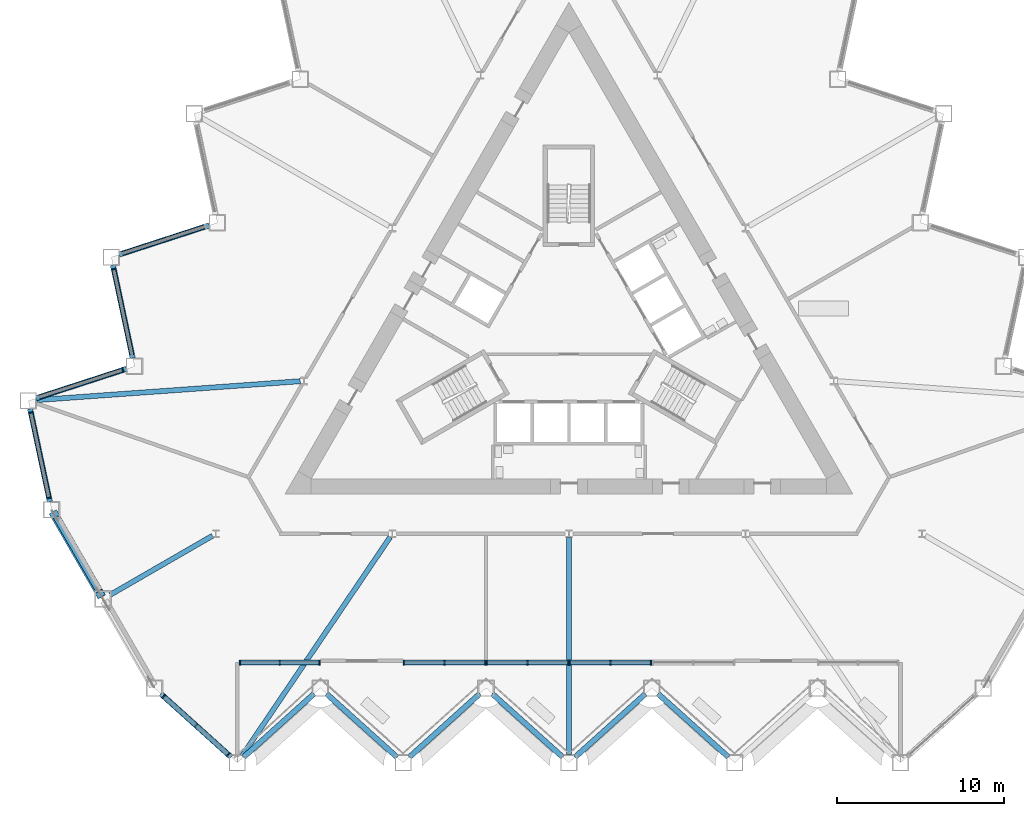
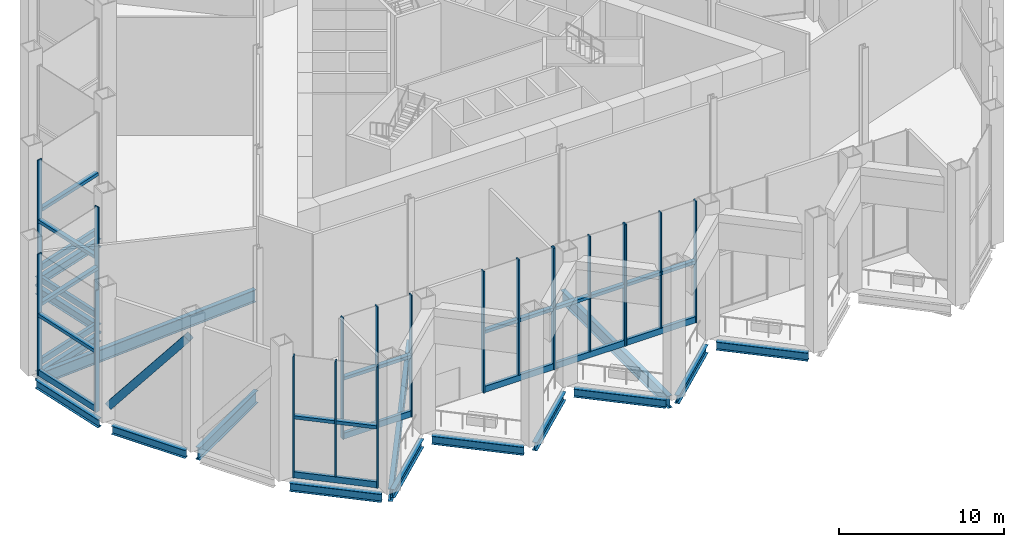
# One storey, part 2 of 17: 43 members, 16 beams, 6 elements without a shape of their own.
"""IFC4 building model written with IfcOpenShell, lengths in metres."""

from ifc_helpers import new_model, si_unit, direction, frame, origin, origin_2d, place, context, subcontext, project, spatial, rectangle, hollow_rectangle, i_section, extrude, material, layer, layer_set, material_profile, profile_set, type_object, element, aggregate, save


model = new_model("IFC4")

# Units and contexts
model_context = context("Model", 3, precision=1e-05, world=origin(), true_north=direction((0.0, 1.0)))
body_context = subcontext(model_context, "Body", "Model", "MODEL_VIEW")
ifc_project = project(units=[si_unit("LENGTHUNIT", "METRE"), si_unit("AREAUNIT", "SQUARE_METRE"), si_unit("VOLUMEUNIT", "CUBIC_METRE"), si_unit("PLANEANGLEUNIT", "RADIAN"), si_unit("MASSUNIT", "GRAM", prefix="KILO")], contexts=[model_context])

# Site, building, storey
site_placement = place(None, origin())
site = spatial("IfcSite", under=ifc_project, at=site_placement, CompositionType="ELEMENT")
building_placement = place(site_placement, origin())
building = spatial("IfcBuilding", under=site, at=building_placement, Name="Cormorant Prow Tower", CompositionType="ELEMENT")
storey_placement = place(building_placement, frame((0.0, 0.0, 84.60009765625)))
storey = spatial("IfcBuildingStorey", under=building, at=storey_placement, Name="L18", CompositionType="ELEMENT", Elevation=84.60009765625)

# Member
ifc_material_1 = material(Name="Structural steel ASTM A500 Gr C", Category="steel")
ifc_material_profile_1 = material_profile(ifc_material_1, hollow_rectangle(XDim=0.508056640625, YDim=0.508056640625, WallThickness=0.014892578125, at=origin_2d()), Name="HSS20x20x5/8")
ifc_profile_set_1 = profile_set([ifc_material_profile_1], Name="Structural steel ASTM A500 Gr C")
member_type_1 = type_object("IfcMemberType", Name="Chamfer brace HSS20x20x5/8", PredefinedType="BRACE", material=ifc_profile_set_1)
member_1_placement = place(storey_placement, frame((-30.830810546875, -11.06689453125, 1.027099609375), z_axis=(0.310448273271, -0.537716610936, 0.783889479421), x_axis=(0.866027186878, 0.499996911578, 0.0)))
element("IfcMember", 1, at=member_1_placement, inside=storey, type_object=member_type_1, Name="Chamfer brace BR1 at WSW00 L18", PredefinedType="BRACE", context=body_context, shape_type="SweptSolid", body=[
    extrude(hollow_rectangle(XDim=0.508056640625, YDim=0.508056640625, WallThickness=0.014892578125, at=origin_2d()), origin(), (0.0, 0.0, 1.0), 8.846435546875),
])

# Beams
ifc_material_2 = material(Name="Structural steel ASTM A992 Gr 50", Category="steel")
ifc_material_profile_2 = material_profile(ifc_material_2, i_section(OverallWidth=0.3046875, OverallDepth=0.914794921875, WebThickness=0.0166015625, FlangeThickness=0.02587890625, at=origin_2d()), Name="W36x160")
ifc_profile_set_2 = profile_set([ifc_material_profile_2], Name="Structural steel ASTM A992 Gr 50")
beam_type_1 = type_object("IfcBeamType", Name="Radial floor beam W36x160", PredefinedType="BEAM", material=ifc_profile_set_2)
beam_1_placement = place(storey_placement, frame((-16.099365234375, -3.0703125, -0.857421875), z_axis=(-0.997443412532, -0.071460750045, 0.0), x_axis=(0.071460750045, -0.997443412532, 0.0)))
element("IfcBeam", 2, at=beam_1_placement, inside=storey, type_object=beam_type_1, Name="Radial floor beam FB1 4 L18", PredefinedType="BEAM", context=body_context, shape_type="SweptSolid", body=[
    extrude(i_section(OverallWidth=0.3046875, OverallDepth=0.914794921875, WebThickness=0.0166015625, FlangeThickness=0.02587890625, at=origin_2d()), origin(), (0.0, 0.0, 1.0), 15.831787109375),
])
beam_2_placement = place(storey_placement, frame((-21.358154296875, -12.3310546875, -0.857421875), z_axis=(-0.866014253463, -0.500019312426, 0.0), x_axis=(0.500019312426, -0.866014253463, 0.0)))
element("IfcBeam", 3, at=beam_2_placement, inside=storey, type_object=beam_type_1, Name="Radial floor beam FB1 5 L18", PredefinedType="BEAM", context=body_context, shape_type="SweptSolid", body=[
    extrude(i_section(OverallWidth=0.3046875, OverallDepth=0.914794921875, WebThickness=0.0166015625, FlangeThickness=0.02587890625, at=origin_2d()), origin(), (0.0, 0.0, 1.0), 7.071533203125),
])
beam_3_placement = place(storey_placement, frame((-10.708740234375, -12.4072265625, -0.857421875), z_axis=(-0.560597160775, -0.828088656685, 0.0), x_axis=(0.828088656685, -0.560597160775, 0.0)))
element("IfcBeam", 4, at=beam_3_placement, inside=storey, type_object=beam_type_1, Name="Radial floor beam FB1 6 L18", PredefinedType="BEAM", context=body_context, shape_type="SweptSolid", body=[
    extrude(i_section(OverallWidth=0.3046875, OverallDepth=0.914794921875, WebThickness=0.0166015625, FlangeThickness=0.02587890625, at=origin_2d()), origin(), (0.0, 0.0, 1.0), 15.831787109375),
])
beam_4_placement = place(storey_placement, frame((0.0, -12.447265625, -0.857421875), z_axis=(0.0, -1.0, 0.0), x_axis=(1.0, 0.0, 0.0)))
element("IfcBeam", 5, at=beam_4_placement, inside=storey, type_object=beam_type_1, Name="Radial floor beam FB1 7 L18", PredefinedType="BEAM", context=body_context, shape_type="SweptSolid", body=[
    extrude(i_section(OverallWidth=0.3046875, OverallDepth=0.914794921875, WebThickness=0.0166015625, FlangeThickness=0.02587890625, at=origin_2d()), origin(), (0.0, 0.0, 1.0), 12.984130859375),
])

# Curtain wall, members
ifc_material_3 = material(Name="Aluminium 6063-T6", Category="aluminium")
ifc_layer = layer(ifc_material_3, 0.300048828125)
ifc_layer_set = layer_set([ifc_layer], Name="Aluminium 6063-T6")
curtain_wall_type = type_object("IfcCurtainWallType", Name="Sky lobby unitised curtain wall 300", PredefinedType="NOTDEFINED", material=ifc_layer_set)
curtain_wall_1_placement = place(storey_placement, origin())
curtain_wall_1 = element("IfcCurtainWall", 6, at=curtain_wall_1_placement, inside=storey, type_object=curtain_wall_type, Name="Sky lobby curtain wall S00", PredefinedType="NOTDEFINED")
ifc_material_4 = material(Name="Aluminium 6063-T6", Category="aluminium")
ifc_material_profile_3 = material_profile(ifc_material_4, rectangle(XDim=0.300048828125, YDim=0.239990234375, at=origin_2d()), Name="Sky lobby intermediate transom 300x240")
ifc_profile_set_3 = profile_set([ifc_material_profile_3], Name="Aluminium 6063-T6")
member_type_2 = type_object("IfcMemberType", Name="Sky lobby intermediate transom 300x240", PredefinedType="USERDEFINED", material=ifc_profile_set_3)
member_2_placement = place(storey_placement, frame((-24.24853515625, -21.98388671875, 4.494384765625), z_axis=(0.743168802943, -0.669103975726, 0.0), x_axis=(0.669103975726, 0.743168802943, 0.0)))
member_2 = element("IfcMember", 7, at=member_2_placement, type_object=member_type_2, Name="Sky lobby intermediate transom S00", ObjectType="TRANSOM", PredefinedType="USERDEFINED", context=body_context, shape_type="SweptSolid", body=[
    extrude(rectangle(XDim=0.300048828125, YDim=0.239990234375, at=origin_2d()), origin(), (0.0, 0.0, 1.0), 2.518310546875),
])
member_3_placement = place(storey_placement, frame((-22.317626953125, -23.722412109375, 4.494384765625), z_axis=(0.743168802943, -0.669103975726, 0.0), x_axis=(0.669103975726, 0.743168802943, 0.0)))
member_3 = element("IfcMember", 8, at=member_3_placement, type_object=member_type_2, Name="Sky lobby intermediate transom S00", ObjectType="TRANSOM", PredefinedType="USERDEFINED", context=body_context, shape_type="SweptSolid", body=[
    extrude(rectangle(XDim=0.300048828125, YDim=0.239990234375, at=origin_2d()), origin(), (0.0, 0.0, 1.0), 2.518310546875),
])

curtain_wall_2_placement = place(storey_placement, origin())
curtain_wall_2 = element("IfcCurtainWall", 9, at=curtain_wall_2_placement, inside=storey, type_object=curtain_wall_type, Name="Sky lobby curtain wall WNW00-WNW09", PredefinedType="NOTDEFINED")
member_4_placement = place(storey_placement, frame((-21.8125, 6.187255859375, 4.494384765625), z_axis=(-0.95106134075, -0.309002145834, 0.0), x_axis=(0.309002145834, -0.95106134075, 0.0)))
member_4 = element("IfcMember", 10, at=member_4_placement, type_object=member_type_2, Name="Sky lobby intermediate transom WNW00-WNW09", ObjectType="TRANSOM", PredefinedType="USERDEFINED", context=body_context, shape_type="SweptSolid", body=[
    extrude(rectangle(XDim=0.300048828125, YDim=0.239990234375, at=origin_2d()), origin(), (0.0, 0.0, 1.0), 5.196533203125),
])
member_5_placement = place(storey_placement, frame((-27.260498046875, 3.598388671875, 4.494384765625), z_axis=(0.207892469327, -0.97815168619, 0.0), x_axis=(0.97815168619, 0.207892469327, 0.0)))
member_5 = element("IfcMember", 11, at=member_5_placement, type_object=member_type_2, Name="Sky lobby intermediate transom WNW00-WNW09", ObjectType="TRANSOM", PredefinedType="USERDEFINED", context=body_context, shape_type="SweptSolid", body=[
    extrude(rectangle(XDim=0.300048828125, YDim=0.239990234375, at=origin_2d()), origin(), (0.0, 0.0, 1.0), 5.196533203125),
])
member_6_placement = place(storey_placement, frame((-26.778564453125, -2.414306640625, 4.494384765625), z_axis=(-0.95106134075, -0.309002145834, 0.0), x_axis=(0.309002145834, -0.95106134075, 0.0)))
member_6 = element("IfcMember", 12, at=member_6_placement, type_object=member_type_2, Name="Sky lobby intermediate transom WNW00-WNW09", ObjectType="TRANSOM", PredefinedType="USERDEFINED", context=body_context, shape_type="SweptSolid", body=[
    extrude(rectangle(XDim=0.300048828125, YDim=0.239990234375, at=origin_2d()), origin(), (0.0, 0.0, 1.0), 5.196533203125),
])
member_7_placement = place(storey_placement, frame((-32.2265625, -5.003173828125, 4.494384765625), z_axis=(0.207902698851, -0.978149511992, 0.0), x_axis=(0.978149511992, 0.207902698851, 0.0)))
member_7 = element("IfcMember", 13, at=member_7_placement, type_object=member_type_2, Name="Sky lobby intermediate transom WNW00-WNW09", ObjectType="TRANSOM", PredefinedType="USERDEFINED", context=body_context, shape_type="SweptSolid", body=[
    extrude(rectangle(XDim=0.300048828125, YDim=0.239990234375, at=origin_2d()), origin(), (0.0, 0.0, 1.0), 5.116455078125),
])

curtain_wall_3_placement = place(storey_placement, origin())
curtain_wall_3 = element("IfcCurtainWall", 14, at=curtain_wall_3_placement, inside=storey, type_object=curtain_wall_type, Name="Sky lobby curtain wall loggia S01", PredefinedType="NOTDEFINED")
member_8_placement = place(storey_placement, frame((-19.67431640625, -19.931396484375, 4.494384765625), z_axis=(1.0, 0.0, 0.0), x_axis=(0.0, 1.0, 0.0)))
member_8 = element("IfcMember", 15, at=member_8_placement, type_object=member_type_2, Name="Sky lobby intermediate transom loggia S01", ObjectType="TRANSOM", PredefinedType="USERDEFINED", context=body_context, shape_type="SweptSolid", body=[
    extrude(rectangle(XDim=0.300048828125, YDim=0.239990234375, at=origin_2d()), origin(), (0.0, 0.0, 1.0), 2.30810546875),
])
member_9_placement = place(storey_placement, frame((-17.2861328125, -19.931396484375, 4.494384765625), z_axis=(1.0, 0.0, 0.0), x_axis=(0.0, 1.0, 0.0)))
member_9 = element("IfcMember", 16, at=member_9_placement, type_object=member_type_2, Name="Sky lobby intermediate transom loggia S01", ObjectType="TRANSOM", PredefinedType="USERDEFINED", context=body_context, shape_type="SweptSolid", body=[
    extrude(rectangle(XDim=0.300048828125, YDim=0.239990234375, at=origin_2d()), origin(), (0.0, 0.0, 1.0), 2.307861328125),
])

curtain_wall_4_placement = place(storey_placement, origin())
curtain_wall_4 = element("IfcCurtainWall", 17, at=curtain_wall_4_placement, inside=storey, type_object=curtain_wall_type, Name="Sky lobby curtain wall loggia S03", PredefinedType="NOTDEFINED")
member_10_placement = place(storey_placement, frame((-9.85205078125, -19.931396484375, 4.494384765625), z_axis=(1.0, 0.0, 0.0), x_axis=(0.0, 1.0, 0.0)))
member_10 = element("IfcMember", 18, at=member_10_placement, type_object=member_type_2, Name="Sky lobby intermediate transom loggia S03", ObjectType="TRANSOM", PredefinedType="USERDEFINED", context=body_context, shape_type="SweptSolid", body=[
    extrude(rectangle(XDim=0.300048828125, YDim=0.239990234375, at=origin_2d()), origin(), (0.0, 0.0, 1.0), 2.363037109375),
])
member_11_placement = place(storey_placement, frame((-7.4091796875, -19.931396484375, 4.494384765625), z_axis=(1.0, 0.0, 0.0), x_axis=(0.0, 1.0, 0.0)))
member_11 = element("IfcMember", 19, at=member_11_placement, type_object=member_type_2, Name="Sky lobby intermediate transom loggia S03", ObjectType="TRANSOM", PredefinedType="USERDEFINED", context=body_context, shape_type="SweptSolid", body=[
    extrude(rectangle(XDim=0.300048828125, YDim=0.239990234375, at=origin_2d()), origin(), (0.0, 0.0, 1.0), 2.363037109375),
])

curtain_wall_5_placement = place(storey_placement, origin())
curtain_wall_5 = element("IfcCurtainWall", 20, at=curtain_wall_5_placement, inside=storey, type_object=curtain_wall_type, Name="Sky lobby curtain wall loggia S04", PredefinedType="NOTDEFINED")
member_12_placement = place(storey_placement, frame((-4.885986328125, -19.931396484375, 4.494384765625), z_axis=(1.0, 0.0, 0.0), x_axis=(0.0, 1.0, 0.0)))
member_12 = element("IfcMember", 21, at=member_12_placement, type_object=member_type_2, Name="Sky lobby intermediate transom loggia S04", ObjectType="TRANSOM", PredefinedType="USERDEFINED", context=body_context, shape_type="SweptSolid", body=[
    extrude(rectangle(XDim=0.300048828125, YDim=0.239990234375, at=origin_2d()), origin(), (0.0, 0.0, 1.0), 2.363037109375),
])
member_13_placement = place(storey_placement, frame((-2.443115234375, -19.931396484375, 4.494384765625), z_axis=(1.0, 0.0, 0.0), x_axis=(0.0, 1.0, 0.0)))
member_13 = element("IfcMember", 22, at=member_13_placement, type_object=member_type_2, Name="Sky lobby intermediate transom loggia S04", ObjectType="TRANSOM", PredefinedType="USERDEFINED", context=body_context, shape_type="SweptSolid", body=[
    extrude(rectangle(XDim=0.300048828125, YDim=0.239990234375, at=origin_2d()), origin(), (0.0, 0.0, 1.0), 2.363037109375),
])

curtain_wall_6_placement = place(storey_placement, origin())
curtain_wall_6 = element("IfcCurtainWall", 23, at=curtain_wall_6_placement, inside=storey, type_object=curtain_wall_type, Name="Sky lobby curtain wall loggia S05", PredefinedType="NOTDEFINED")
member_14_placement = place(storey_placement, frame((0.080078125, -19.931396484375, 4.494384765625), z_axis=(1.0, 0.0, 0.0), x_axis=(0.0, 1.0, 0.0)))
member_14 = element("IfcMember", 24, at=member_14_placement, type_object=member_type_2, Name="Sky lobby intermediate transom loggia S05", ObjectType="TRANSOM", PredefinedType="USERDEFINED", context=body_context, shape_type="SweptSolid", body=[
    extrude(rectangle(XDim=0.300048828125, YDim=0.239990234375, at=origin_2d()), origin(), (0.0, 0.0, 1.0), 2.363037109375),
])
member_15_placement = place(storey_placement, frame((2.52294921875, -19.931396484375, 4.494384765625), z_axis=(1.0, 0.0, 0.0), x_axis=(0.0, 1.0, 0.0)))
member_15 = element("IfcMember", 25, at=member_15_placement, type_object=member_type_2, Name="Sky lobby intermediate transom loggia S05", ObjectType="TRANSOM", PredefinedType="USERDEFINED", context=body_context, shape_type="SweptSolid", body=[
    extrude(rectangle(XDim=0.300048828125, YDim=0.239990234375, at=origin_2d()), origin(), (0.0, 0.0, 1.0), 2.363037109375),
])

# Member
ifc_material_5 = material(Name="Aluminium 6063-T6", Category="aluminium")
ifc_material_profile_4 = material_profile(ifc_material_5, rectangle(XDim=0.300048828125, YDim=0.080078125, at=origin_2d()), Name="Sky lobby mullion 80x300")
ifc_profile_set_4 = profile_set([ifc_material_profile_4], Name="Aluminium 6063-T6")
member_type_3 = type_object("IfcMemberType", Name="Sky lobby mullion 80x300", PredefinedType="MULLION", material=ifc_profile_set_4)
member_16_placement = place(storey_placement, frame((-24.278076171875, -21.95703125, 0.0), z_axis=(0.0, 0.0, 1.0), x_axis=(0.669130555788, 0.743144871012, 0.0)))
member_16 = element("IfcMember", 26, at=member_16_placement, type_object=member_type_3, Name="Sky lobby mullion S00", PredefinedType="MULLION", context=body_context, shape_type="SweptSolid", body=[
    extrude(rectangle(XDim=0.300048828125, YDim=0.080078125, at=origin_2d()), origin(), (0.0, 0.0, 1.0), 8.98876953125),
])

member_17_placement = place(storey_placement, frame((-22.347412109375, -23.695556640625, 0.449951171875), z_axis=(0.0, 0.0, 1.0), x_axis=(0.669130555788, 0.743144871012, 0.0)))
member_17 = element("IfcMember", 27, at=member_17_placement, type_object=member_type_3, Name="Sky lobby mullion S00", PredefinedType="MULLION", context=body_context, shape_type="SweptSolid", body=[
    extrude(rectangle(XDim=0.300048828125, YDim=0.080078125, at=origin_2d()), origin(), (0.0, 0.0, 1.0), 8.538818359375),
])

member_18_placement = place(storey_placement, frame((-20.41650390625, -25.434326171875, 0.0), z_axis=(0.0, 0.0, 1.0), x_axis=(0.669130555788, 0.743144871012, 0.0)))
member_18 = element("IfcMember", 28, at=member_18_placement, type_object=member_type_3, Name="Sky lobby mullion S00", PredefinedType="MULLION", context=body_context, shape_type="SweptSolid", body=[
    extrude(rectangle(XDim=0.300048828125, YDim=0.080078125, at=origin_2d()), origin(), (0.0, 0.0, 1.0), 8.98876953125),
])

member_19_placement = place(storey_placement, frame((-27.268798828125, 3.637451171875, 0.0), z_axis=(0.0, 0.0, 1.0), x_axis=(0.978147590127, 0.207911740719, 0.0)))
member_19 = element("IfcMember", 29, at=member_19_placement, type_object=member_type_3, Name="Sky lobby mullion WNW00-WNW09", PredefinedType="MULLION", context=body_context, shape_type="SweptSolid", body=[
    extrude(rectangle(XDim=0.300048828125, YDim=0.080078125, at=origin_2d()), origin(), (0.0, 0.0, 1.0), 8.98876953125),
])

member_20_placement = place(storey_placement, frame((-26.740478515625, -2.40185546875, 0.0), z_axis=(0.0, 0.0, 1.0), x_axis=(0.309016952512, -0.951056529897, 0.0)))
member_20 = element("IfcMember", 30, at=member_20_placement, type_object=member_type_3, Name="Sky lobby mullion WNW00-WNW09", PredefinedType="MULLION", context=body_context, shape_type="SweptSolid", body=[
    extrude(rectangle(XDim=0.300048828125, YDim=0.080078125, at=origin_2d()), origin(), (0.0, 0.0, 1.0), 8.98876953125),
])

member_21_placement = place(storey_placement, frame((-32.23486328125, -4.964111328125, 0.0), z_axis=(0.0, 0.0, 1.0), x_axis=(0.978147590127, 0.207911740719, 0.0)))
member_21 = element("IfcMember", 31, at=member_21_placement, type_object=member_type_3, Name="Sky lobby mullion WNW00-WNW09", PredefinedType="MULLION", context=body_context, shape_type="SweptSolid", body=[
    extrude(rectangle(XDim=0.300048828125, YDim=0.080078125, at=origin_2d()), origin(), (0.0, 0.0, 1.0), 8.98876953125),
])

member_22_placement = place(storey_placement, frame((-31.154541015625, -10.046875, 0.0), z_axis=(0.0, 0.0, 1.0), x_axis=(0.978147590127, 0.207911740719, 0.0)))
member_22 = element("IfcMember", 32, at=member_22_placement, type_object=member_type_3, Name="Sky lobby mullion WNW00-WNW09", PredefinedType="MULLION", context=body_context, shape_type="SweptSolid", body=[
    extrude(rectangle(XDim=0.300048828125, YDim=0.080078125, at=origin_2d()), origin(), (0.0, 0.0, 1.0), 8.98876953125),
])

member_23_placement = place(storey_placement, frame((-19.71435546875, -19.931396484375, 0.0), z_axis=(0.0, 0.0, 1.0), x_axis=(0.0, 1.0, 0.0)))
member_23 = element("IfcMember", 33, at=member_23_placement, type_object=member_type_3, Name="Sky lobby mullion loggia S01", PredefinedType="MULLION", context=body_context, shape_type="SweptSolid", body=[
    extrude(rectangle(XDim=0.300048828125, YDim=0.080078125, at=origin_2d()), origin(), (0.0, 0.0, 1.0), 8.98876953125),
])

member_24_placement = place(storey_placement, frame((-17.326171875, -19.931396484375, 0.449951171875), z_axis=(0.0, 0.0, 1.0), x_axis=(0.0, 1.0, 0.0)))
member_24 = element("IfcMember", 34, at=member_24_placement, type_object=member_type_3, Name="Sky lobby mullion loggia S01", PredefinedType="MULLION", context=body_context, shape_type="SweptSolid", body=[
    extrude(rectangle(XDim=0.300048828125, YDim=0.080078125, at=origin_2d()), origin(), (0.0, 0.0, 1.0), 8.538818359375),
])

member_25_placement = place(storey_placement, frame((-14.938232421875, -19.931396484375, 0.0), z_axis=(0.0, 0.0, 1.0), x_axis=(0.0, 1.0, 0.0)))
member_25 = element("IfcMember", 35, at=member_25_placement, type_object=member_type_3, Name="Sky lobby mullion loggia S01", PredefinedType="MULLION", context=body_context, shape_type="SweptSolid", body=[
    extrude(rectangle(XDim=0.300048828125, YDim=0.080078125, at=origin_2d()), origin(), (0.0, 0.0, 1.0), 8.98876953125),
])

member_26_placement = place(storey_placement, frame((-9.89208984375, -19.931396484375, 0.0), z_axis=(0.0, 0.0, 1.0), x_axis=(0.0, 1.0, 0.0)))
member_26 = element("IfcMember", 36, at=member_26_placement, type_object=member_type_3, Name="Sky lobby mullion loggia S03", PredefinedType="MULLION", context=body_context, shape_type="SweptSolid", body=[
    extrude(rectangle(XDim=0.300048828125, YDim=0.080078125, at=origin_2d()), origin(), (0.0, 0.0, 1.0), 8.98876953125),
])

member_27_placement = place(storey_placement, frame((-7.44921875, -19.931396484375, 0.449951171875), z_axis=(0.0, 0.0, 1.0), x_axis=(0.0, 1.0, 0.0)))
member_27 = element("IfcMember", 37, at=member_27_placement, type_object=member_type_3, Name="Sky lobby mullion loggia S03", PredefinedType="MULLION", context=body_context, shape_type="SweptSolid", body=[
    extrude(rectangle(XDim=0.300048828125, YDim=0.080078125, at=origin_2d()), origin(), (0.0, 0.0, 1.0), 8.538818359375),
])

member_28_placement = place(storey_placement, frame((-5.006103515625, -19.931396484375, 0.0), z_axis=(0.0, 0.0, 1.0), x_axis=(0.0, 1.0, 0.0)))
member_28 = element("IfcMember", 38, at=member_28_placement, type_object=member_type_3, Name="Sky lobby mullion loggia S03", PredefinedType="MULLION", context=body_context, shape_type="SweptSolid", body=[
    extrude(rectangle(XDim=0.300048828125, YDim=0.080078125, at=origin_2d()), origin(), (0.0, 0.0, 1.0), 8.98876953125),
])

member_29_placement = place(storey_placement, frame((-4.926025390625, -19.931396484375, 0.0), z_axis=(0.0, 0.0, 1.0), x_axis=(0.0, 1.0, 0.0)))
member_29 = element("IfcMember", 39, at=member_29_placement, type_object=member_type_3, Name="Sky lobby mullion loggia S04", PredefinedType="MULLION", context=body_context, shape_type="SweptSolid", body=[
    extrude(rectangle(XDim=0.300048828125, YDim=0.080078125, at=origin_2d()), origin(), (0.0, 0.0, 1.0), 8.98876953125),
])

member_30_placement = place(storey_placement, frame((-2.483154296875, -19.931396484375, 0.449951171875), z_axis=(0.0, 0.0, 1.0), x_axis=(0.0, 1.0, 0.0)))
member_30 = element("IfcMember", 40, at=member_30_placement, type_object=member_type_3, Name="Sky lobby mullion loggia S04", PredefinedType="MULLION", context=body_context, shape_type="SweptSolid", body=[
    extrude(rectangle(XDim=0.300048828125, YDim=0.080078125, at=origin_2d()), origin(), (0.0, 0.0, 1.0), 8.538818359375),
])

member_31_placement = place(storey_placement, frame((-0.0400390625, -19.931396484375, 0.0), z_axis=(0.0, 0.0, 1.0), x_axis=(0.0, 1.0, 0.0)))
member_31 = element("IfcMember", 41, at=member_31_placement, type_object=member_type_3, Name="Sky lobby mullion loggia S04", PredefinedType="MULLION", context=body_context, shape_type="SweptSolid", body=[
    extrude(rectangle(XDim=0.300048828125, YDim=0.080078125, at=origin_2d()), origin(), (0.0, 0.0, 1.0), 8.98876953125),
])

member_32_placement = place(storey_placement, frame((0.0400390625, -19.931396484375, 0.0), z_axis=(0.0, 0.0, 1.0), x_axis=(0.0, 1.0, 0.0)))
member_32 = element("IfcMember", 42, at=member_32_placement, type_object=member_type_3, Name="Sky lobby mullion loggia S05", PredefinedType="MULLION", context=body_context, shape_type="SweptSolid", body=[
    extrude(rectangle(XDim=0.300048828125, YDim=0.080078125, at=origin_2d()), origin(), (0.0, 0.0, 1.0), 8.98876953125),
])

member_33_placement = place(storey_placement, frame((2.483154296875, -19.931396484375, 0.449951171875), z_axis=(0.0, 0.0, 1.0), x_axis=(0.0, 1.0, 0.0)))
member_33 = element("IfcMember", 43, at=member_33_placement, type_object=member_type_3, Name="Sky lobby mullion loggia S05", PredefinedType="MULLION", context=body_context, shape_type="SweptSolid", body=[
    extrude(rectangle(XDim=0.300048828125, YDim=0.080078125, at=origin_2d()), origin(), (0.0, 0.0, 1.0), 8.538818359375),
])

member_34_placement = place(storey_placement, frame((4.926025390625, -19.931396484375, 0.0), z_axis=(0.0, 0.0, 1.0), x_axis=(0.0, 1.0, 0.0)))
member_34 = element("IfcMember", 44, at=member_34_placement, type_object=member_type_3, Name="Sky lobby mullion loggia S05", PredefinedType="MULLION", context=body_context, shape_type="SweptSolid", body=[
    extrude(rectangle(XDim=0.300048828125, YDim=0.080078125, at=origin_2d()), origin(), (0.0, 0.0, 1.0), 8.98876953125),
])

ifc_material_6 = material(Name="Terracotta", Category="masonry")
ifc_material_profile_5 = material_profile(ifc_material_6, rectangle(XDim=0.219970703125, YDim=0.449951171875, at=origin_2d()), Name="Sky lobby terracotta spandrel rail 220x450")
ifc_profile_set_5 = profile_set([ifc_material_profile_5], Name="Terracotta")
member_type_4 = type_object("IfcMemberType", Name="Sky lobby terracotta spandrel rail 220x450", PredefinedType="USERDEFINED", material=ifc_profile_set_5)
member_35_placement = place(storey_placement, frame((-24.24853515625, -21.98388671875, 0.224853515625), z_axis=(0.743163640366, -0.669109709717, 0.0), x_axis=(0.669109709717, 0.743163640366, 0.0)))
member_35 = element("IfcMember", 45, at=member_35_placement, type_object=member_type_4, Name="Sky lobby spandrel rail S00", ObjectType="TRANSOM", PredefinedType="USERDEFINED", context=body_context, shape_type="SweptSolid", body=[
    extrude(rectangle(XDim=0.219970703125, YDim=0.449951171875, at=origin_2d()), origin(), (0.0, 0.0, 1.0), 5.11669921875),
])

aggregate(curtain_wall_1, [member_16, member_17, member_18, member_35, member_2, member_3])

member_36_placement = place(storey_placement, frame((-21.8125, 6.187255859375, 0.224853515625), z_axis=(-0.95106134075, -0.309002145834, 0.0), x_axis=(0.309002145834, -0.95106134075, 0.0)))
member_36 = element("IfcMember", 46, at=member_36_placement, type_object=member_type_4, Name="Sky lobby spandrel rail WNW00-WNW09", ObjectType="TRANSOM", PredefinedType="USERDEFINED", context=body_context, shape_type="SweptSolid", body=[
    extrude(rectangle(XDim=0.219970703125, YDim=0.449951171875, at=origin_2d()), origin(), (0.0, 0.0, 1.0), 5.196533203125),
])

member_37_placement = place(storey_placement, frame((-27.260498046875, 3.598388671875, 0.224853515625), z_axis=(0.207892469327, -0.97815168619, 0.0), x_axis=(0.97815168619, 0.207892469327, 0.0)))
member_37 = element("IfcMember", 47, at=member_37_placement, type_object=member_type_4, Name="Sky lobby spandrel rail WNW00-WNW09", ObjectType="TRANSOM", PredefinedType="USERDEFINED", context=body_context, shape_type="SweptSolid", body=[
    extrude(rectangle(XDim=0.219970703125, YDim=0.449951171875, at=origin_2d()), origin(), (0.0, 0.0, 1.0), 5.196533203125),
])

member_38_placement = place(storey_placement, frame((-26.778564453125, -2.414306640625, 0.224853515625), z_axis=(-0.95106134075, -0.309002145834, 0.0), x_axis=(0.309002145834, -0.95106134075, 0.0)))
member_38 = element("IfcMember", 48, at=member_38_placement, type_object=member_type_4, Name="Sky lobby spandrel rail WNW00-WNW09", ObjectType="TRANSOM", PredefinedType="USERDEFINED", context=body_context, shape_type="SweptSolid", body=[
    extrude(rectangle(XDim=0.219970703125, YDim=0.449951171875, at=origin_2d()), origin(), (0.0, 0.0, 1.0), 5.196533203125),
])

member_39_placement = place(storey_placement, frame((-32.2265625, -5.003173828125, 0.224853515625), z_axis=(0.207902698851, -0.978149511992, 0.0), x_axis=(0.978149511992, 0.207902698851, 0.0)))
member_39 = element("IfcMember", 49, at=member_39_placement, type_object=member_type_4, Name="Sky lobby spandrel rail WNW00-WNW09", ObjectType="TRANSOM", PredefinedType="USERDEFINED", context=body_context, shape_type="SweptSolid", body=[
    extrude(rectangle(XDim=0.219970703125, YDim=0.449951171875, at=origin_2d()), origin(), (0.0, 0.0, 1.0), 5.116455078125),
])

aggregate(curtain_wall_2, [member_36, member_4, member_19, member_37, member_5, member_20, member_38, member_6, member_21, member_22, member_39, member_7])

member_40_placement = place(storey_placement, frame((-19.67431640625, -19.931396484375, 0.224853515625), z_axis=(1.0, 0.0, 0.0), x_axis=(0.0, 1.0, 0.0)))
member_40 = element("IfcMember", 50, at=member_40_placement, type_object=member_type_4, Name="Sky lobby spandrel rail loggia S01", ObjectType="TRANSOM", PredefinedType="USERDEFINED", context=body_context, shape_type="SweptSolid", body=[
    extrude(rectangle(XDim=0.219970703125, YDim=0.449951171875, at=origin_2d()), origin(), (0.0, 0.0, 1.0), 4.696044921875),
])

aggregate(curtain_wall_3, [member_23, member_24, member_25, member_40, member_8, member_9])

member_41_placement = place(storey_placement, frame((-9.85205078125, -19.931396484375, 0.224853515625), z_axis=(1.0, 0.0, 0.0), x_axis=(0.0, 1.0, 0.0)))
member_41 = element("IfcMember", 51, at=member_41_placement, type_object=member_type_4, Name="Sky lobby spandrel rail loggia S03", ObjectType="TRANSOM", PredefinedType="USERDEFINED", context=body_context, shape_type="SweptSolid", body=[
    extrude(rectangle(XDim=0.219970703125, YDim=0.449951171875, at=origin_2d()), origin(), (0.0, 0.0, 1.0), 4.805908203125),
])

aggregate(curtain_wall_4, [member_26, member_27, member_28, member_41, member_10, member_11])

member_42_placement = place(storey_placement, frame((-4.885986328125, -19.931396484375, 0.224853515625), z_axis=(1.0, 0.0, 0.0), x_axis=(0.0, 1.0, 0.0)))
member_42 = element("IfcMember", 52, at=member_42_placement, type_object=member_type_4, Name="Sky lobby spandrel rail loggia S04", ObjectType="TRANSOM", PredefinedType="USERDEFINED", context=body_context, shape_type="SweptSolid", body=[
    extrude(rectangle(XDim=0.219970703125, YDim=0.449951171875, at=origin_2d()), origin(), (0.0, 0.0, 1.0), 4.805908203125),
])

aggregate(curtain_wall_5, [member_29, member_30, member_31, member_42, member_12, member_13])

member_43_placement = place(storey_placement, frame((0.080078125, -19.931396484375, 0.224853515625), z_axis=(1.0, 0.0, 0.0), x_axis=(0.0, 1.0, 0.0)))
member_43 = element("IfcMember", 53, at=member_43_placement, type_object=member_type_4, Name="Sky lobby spandrel rail loggia S05", ObjectType="TRANSOM", PredefinedType="USERDEFINED", context=body_context, shape_type="SweptSolid", body=[
    extrude(rectangle(XDim=0.219970703125, YDim=0.449951171875, at=origin_2d()), origin(), (0.0, 0.0, 1.0), 4.805908203125),
])

aggregate(curtain_wall_6, [member_32, member_33, member_34, member_43, member_14, member_15])

# Beams
ifc_material_7 = material(Name="Structural steel ASTM A992 Gr 50", Category="steel")
ifc_material_profile_6 = material_profile(ifc_material_7, i_section(OverallWidth=0.32373046875, OverallDepth=0.611083984375, WebThickness=0.0126953125, FlangeThickness=0.01904296875, at=origin_2d()), Name="W24x104")
ifc_profile_set_6 = profile_set([ifc_material_profile_6], Name="Structural steel ASTM A992 Gr 50")
beam_type_2 = type_object("IfcBeamType", Name="Spandrel beam W24x104", PredefinedType="SPANDREL", material=ifc_profile_set_6)
for number, where, z_axis, x_axis, name in (
    (54, (-24.458740234375, -21.79443359375, -0.70556640625), (0.743129630386, -0.669147481833, 0.0), (0.669147481833, 0.743129630386, 0.0), "Spandrel beam SB1 S00-S01 L18"),
    (55, (-19.49267578125, -25.596923828125, -0.70556640625), (0.743129630386, 0.669147481833, 0.0), (-0.669147481833, 0.743129630386, 0.0), "Spandrel beam SB1 S01-S02 L18"),
    (56, (-14.526611328125, -21.79443359375, -0.70556640625), (0.743129630386, -0.669147481833, 0.0), (0.669147481833, 0.743129630386, 0.0), "Spandrel beam SB1 S02-S03 L18"),
    (57, (-9.560546875, -25.596923828125, -0.70556640625), (0.743129630386, 0.669147481833, 0.0), (-0.669147481833, 0.743129630386, 0.0), "Spandrel beam SB1 S03-S04 L18"),
    (58, (-4.594482421875, -21.79443359375, -0.70556640625), (0.743129630386, -0.669147481833, 0.0), (0.669147481833, 0.743129630386, 0.0), "Spandrel beam SB1 S04-S05 L18"),
    (59, (0.37158203125, -25.596923828125, -0.70556640625), (0.743129630386, 0.669147481833, 0.0), (-0.669147481833, 0.743129630386, 0.0), "Spandrel beam SB1 S05-S06 L18"),
    (60, (5.337646484375, -21.79443359375, -0.70556640625), (0.743129630386, -0.669147481833, 0.0), (0.669147481833, 0.743129630386, 0.0), "Spandrel beam SB1 S06-S07 L18"),
):
    element("IfcBeam", number, at=place(storey_placement, frame(where, z_axis=z_axis, x_axis=x_axis)), inside=storey, type_object=beam_type_2, Name=name, PredefinedType="SPANDREL", context=body_context, shape_type="SweptSolid", body=[
        extrude(i_section(OverallWidth=0.32373046875, OverallDepth=0.611083984375, WebThickness=0.0126953125, FlangeThickness=0.01904296875, at=origin_2d()), origin(), (0.0, 0.0, 1.0), 5.6826171875),
    ])
beam_5_placement = place(storey_placement, frame((-21.54345703125, 6.274658203125, -0.70556640625), z_axis=(-0.951061849722, -0.309000579292, 0.0), x_axis=(0.309000579292, -0.951061849722, 0.0)))
element("IfcBeam", 61, at=beam_5_placement, inside=storey, type_object=beam_type_2, Name="Spandrel beam SB1 WNW06-WNW07 L18", PredefinedType="SPANDREL", context=body_context, shape_type="SweptSolid", body=[
    extrude(i_section(OverallWidth=0.32373046875, OverallDepth=0.611083984375, WebThickness=0.0126953125, FlangeThickness=0.01904296875, at=origin_2d()), origin(), (0.0, 0.0, 1.0), 5.682373046875),
])
beam_6_placement = place(storey_placement, frame((-27.3193359375, 3.875244140625, -0.70556640625), z_axis=(0.207900376723, -0.97815000555, 0.0), x_axis=(0.97815000555, 0.207900376723, 0.0)))
element("IfcBeam", 62, at=beam_6_placement, inside=storey, type_object=beam_type_2, Name="Spandrel beam SB1 WNW07-WNW08 L18", PredefinedType="SPANDREL", context=body_context, shape_type="SweptSolid", body=[
    extrude(i_section(OverallWidth=0.32373046875, OverallDepth=0.611083984375, WebThickness=0.0126953125, FlangeThickness=0.01904296875, at=origin_2d()), origin(), (0.0, 0.0, 1.0), 5.6826171875),
])
beam_7_placement = place(storey_placement, frame((-26.509521484375, -2.32666015625, -0.70556640625), z_axis=(-0.951049222751, -0.309039440696, 0.0), x_axis=(0.309039440696, -0.951049222751, 0.0)))
element("IfcBeam", 63, at=beam_7_placement, inside=storey, type_object=beam_type_2, Name="Spandrel beam SB1 WNW08-WNW09 L18", PredefinedType="SPANDREL", context=body_context, shape_type="SweptSolid", body=[
    extrude(i_section(OverallWidth=0.32373046875, OverallDepth=0.611083984375, WebThickness=0.0126953125, FlangeThickness=0.01904296875, at=origin_2d()), origin(), (0.0, 0.0, 1.0), 5.682373046875),
])
beam_8_placement = place(storey_placement, frame((-32.285400390625, -4.726318359375, -0.70556640625), z_axis=(0.207900376723, -0.97815000555, 0.0), x_axis=(0.97815000555, 0.207900376723, 0.0)))
element("IfcBeam", 64, at=beam_8_placement, inside=storey, type_object=beam_type_2, Name="Spandrel beam SB1 WNW09-WSW00 L18", PredefinedType="SPANDREL", context=body_context, shape_type="SweptSolid", body=[
    extrude(i_section(OverallWidth=0.32373046875, OverallDepth=0.611083984375, WebThickness=0.0126953125, FlangeThickness=0.01904296875, at=origin_2d()), origin(), (0.0, 0.0, 1.0), 5.6826171875),
])
beam_9_placement = place(storey_placement, frame((-30.75, -11.206787109375, -0.70556640625), z_axis=(0.49998408811, -0.866034590324, 0.0), x_axis=(0.866034590324, 0.49998408811, 0.0)))
element("IfcBeam", 65, at=beam_9_placement, inside=storey, type_object=beam_type_2, Name="Spandrel beam SB1 WSW00-WSW01 L18", PredefinedType="SPANDREL", context=body_context, shape_type="SweptSolid", body=[
    extrude(i_section(OverallWidth=0.32373046875, OverallDepth=0.611083984375, WebThickness=0.0126953125, FlangeThickness=0.01904296875, at=origin_2d()), origin(), (0.0, 0.0, 1.0), 5.169677734375),
])

save(model, "model.ifc")
